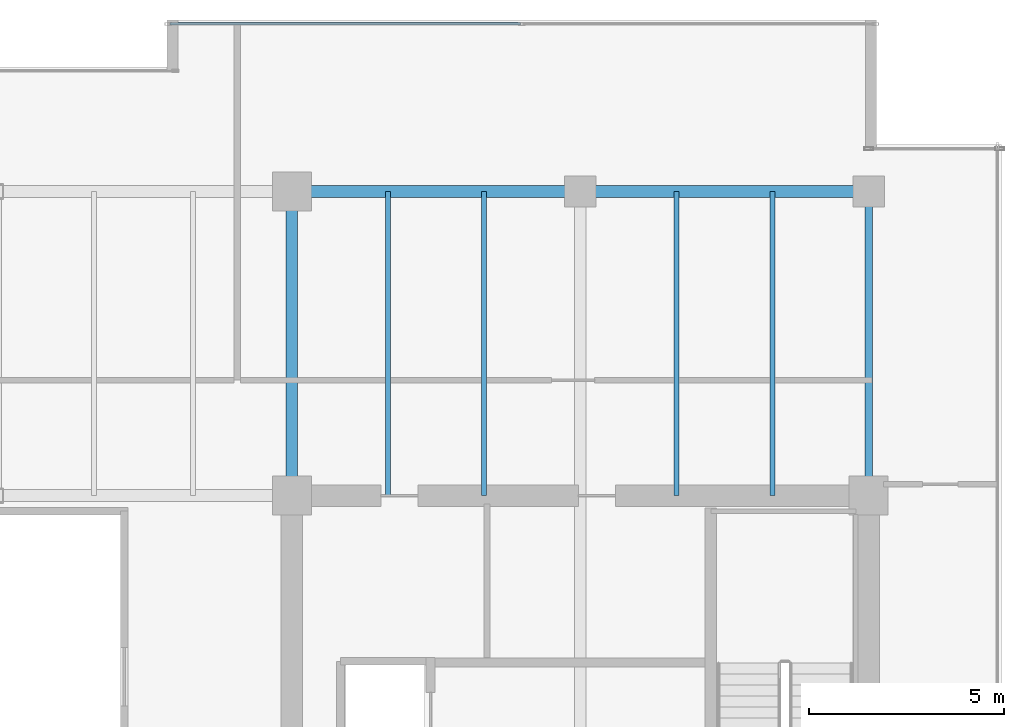
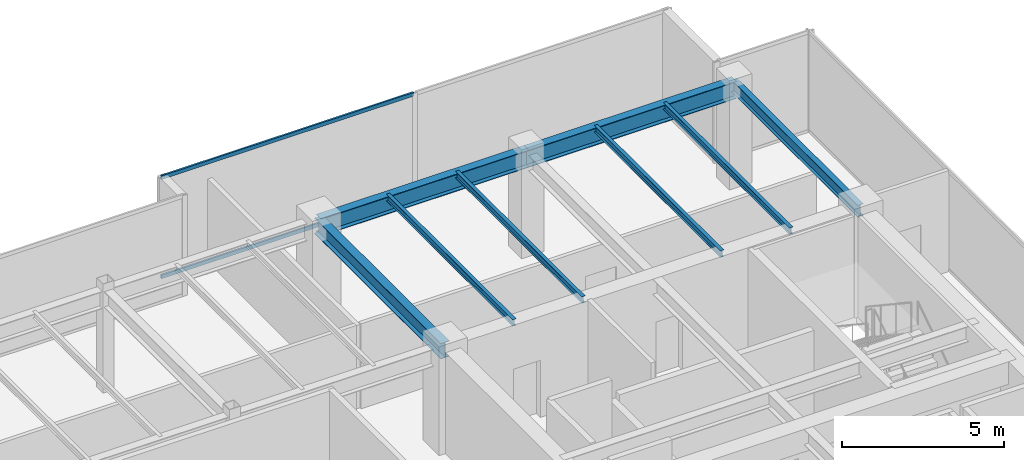
# One storey, part 20 of 33: 8 beams, 2 members, 1 element without a shape of its own.
"""IFC4 building model written with IfcOpenShell, lengths in metres."""

from ifc_helpers import new_model, si_unit, direction, frame, origin, origin_2d, place, context, subcontext, project, spatial, hollow_rectangle, i_section, extrude, source, transform, mapped, material, layer, layer_set, material_profile, profile_set, type_object, type_shapes, element, aggregate, save


model = new_model("IFC4")

# Units and contexts
model_context = context("Model", 3, precision=1e-05, world=origin(), true_north=direction((0.0, 1.0)))
body_context = subcontext(model_context, "Body", "Model", "MODEL_VIEW")
ifc_project = project(units=[si_unit("LENGTHUNIT", "METRE"), si_unit("AREAUNIT", "SQUARE_METRE"), si_unit("VOLUMEUNIT", "CUBIC_METRE"), si_unit("PLANEANGLEUNIT", "RADIAN"), si_unit("MASSUNIT", "GRAM", prefix="KILO")], contexts=[model_context])

# Site, building, storey
site_placement = place(None, origin())
site = spatial("IfcSite", under=ifc_project, at=site_placement, CompositionType="ELEMENT")
building_placement = place(site_placement, origin())
building = spatial("IfcBuilding", under=site, at=building_placement, Name="Haelvirn Gate Laboratories", CompositionType="ELEMENT")
storey_placement = place(building_placement, frame((0.0, 0.0, 267.0)))
storey = spatial("IfcBuildingStorey", under=building, at=storey_placement, Name="L64", CompositionType="ELEMENT", Elevation=267.0)

# Beams
ifc_material_1 = material(Name="Steel SM355", Category="steel")
ifc_material_profile_1 = material_profile(ifc_material_1, i_section(OverallWidth=0.300048828125, OverallDepth=0.587890625, WebThickness=0.011962890625, FlangeThickness=0.02001953125, at=origin_2d()), Name="H-588x300x12x20")
ifc_profile_set_1 = profile_set([ifc_material_profile_1], Name="Steel SM355")
beam_type_1 = type_object("IfcBeamType", Name="BM-G-588", PredefinedType="BEAM", material=ifc_profile_set_1)
shared_shape_1 = source(origin(), body_context, "Body", "SweptSolid", [
    extrude(i_section(OverallWidth=0.300048828125, OverallDepth=0.587890625, WebThickness=0.011962890625, FlangeThickness=0.02001953125, at=origin_2d()), origin(), (0.0, 0.0, 1.0), 7.800048828125),
])
type_shapes(beam_type_1, [shared_shape_1])
beam_1_placement = place(storey_placement, frame((52.60009765625, 33.800048828125, 3.506103515625), z_axis=(0.0, 1.0, 0.0), x_axis=(-1.0, 0.0, 0.0)))
element("IfcBeam", 1, at=beam_1_placement, inside=storey, type_object=beam_type_1, Name="L64 Frame Girder X52.6 (33.8-41.6)", PredefinedType="BEAM", context=body_context, shape_type="MappedRepresentation", body=[
    mapped(shared_shape_1, transform((0.0, 0.0, 0.0), scale=1.0)),
])
ifc_material_profile_2 = material_profile(ifc_material_1, i_section(OverallWidth=0.300048828125, OverallDepth=0.64990234375, WebThickness=0.012939453125, FlangeThickness=0.02197265625, at=origin_2d()), Name="H-650x300x13x22")
ifc_profile_set_2 = profile_set([ifc_material_profile_2], Name="Steel SM355")
beam_type_2 = type_object("IfcBeamType", Name="BM-G-650", PredefinedType="BEAM", material=ifc_profile_set_2)
shared_shape_2 = source(origin(), body_context, "Body", "SweptSolid", [
    extrude(i_section(OverallWidth=0.300048828125, OverallDepth=0.64990234375, WebThickness=0.012939453125, FlangeThickness=0.02197265625, at=origin_2d()), origin(), (0.0, 0.0, 1.0), 7.39990234375),
])
type_shapes(beam_type_2, [shared_shape_2])
for number, where, z_axis, x_axis, name in (
    (2, (52.60009765625, 41.60009765625, 3.47509765625), (1.0, 0.0, 0.0), (0.0, 1.0, 0.0), "L64 Primary Girder Y41.6 (52.6-60.0)"),
    (3, (60.0, 41.60009765625, 3.47509765625), (1.0, 0.0, 0.0), (0.0, 1.0, 0.0), "L64 Primary Girder Y41.6 (60.0-67.4)"),
):
    element("IfcBeam", number, at=place(storey_placement, frame(where, z_axis=z_axis, x_axis=x_axis)), inside=storey, type_object=beam_type_2, Name=name, PredefinedType="BEAM", context=body_context, shape_type="MappedRepresentation", body=[
        mapped(shared_shape_2, transform((0.0, 0.0, 0.0), scale=1.0)),
    ])
ifc_material_profile_3 = material_profile(ifc_material_1, i_section(OverallWidth=0.199951171875, OverallDepth=0.449951171875, WebThickness=0.009033203125, FlangeThickness=0.013916015625, at=origin_2d()), Name="H-450x200x9x14")
ifc_profile_set_3 = profile_set([ifc_material_profile_3], Name="Steel SM355")
beam_type_3 = type_object("IfcBeamType", Name="BM-SP-450", PredefinedType="SPANDREL", material=ifc_profile_set_3)
shared_shape_3 = source(origin(), body_context, "Body", "SweptSolid", [
    extrude(i_section(OverallWidth=0.199951171875, OverallDepth=0.449951171875, WebThickness=0.009033203125, FlangeThickness=0.013916015625, at=origin_2d()), origin(), (0.0, 0.0, 1.0), 7.800048828125),
])
type_shapes(beam_type_3, [shared_shape_3])
beam_2_placement = place(storey_placement, frame((67.39990234375, 33.800048828125, 3.574951171875), z_axis=(0.0, 1.0, 0.0), x_axis=(-1.0, 0.0, 0.0)))
element("IfcBeam", 4, at=beam_2_placement, inside=storey, type_object=beam_type_3, Name="L64 Perimeter Spandrel X67.4 (33.8-41.6)", PredefinedType="SPANDREL", context=body_context, shape_type="MappedRepresentation", body=[
    mapped(shared_shape_3, transform((0.0, 0.0, 0.0), scale=1.0)),
])
ifc_material_profile_4 = material_profile(ifc_material_1, i_section(OverallWidth=0.125, OverallDepth=0.25, WebThickness=0.006103515625, FlangeThickness=0.009033203125, at=origin_2d()), Name="H-250x125x6x9")
ifc_profile_set_4 = profile_set([ifc_material_profile_4], Name="Steel SM355")
beam_type_4 = type_object("IfcBeamType", Name="BM-J-250", PredefinedType="JOIST", material=ifc_profile_set_4)
shared_shape_4 = source(origin(), body_context, "Body", "SweptSolid", [
    extrude(i_section(OverallWidth=0.125, OverallDepth=0.25, WebThickness=0.006103515625, FlangeThickness=0.009033203125, at=origin_2d()), origin(), (0.0, 0.0, 1.0), 7.800048828125),
])
type_shapes(beam_type_4, [shared_shape_4])
for number, where, z_axis, x_axis, name in (
    (5, (55.070068359375, 33.800048828125, 3.675048828125), (0.0, 1.0, 0.0), (-1.0, 0.0, 0.0), "L64 Composite Lab Joist North X55.07"),
    (6, (57.530029296875, 33.800048828125, 3.675048828125), (0.0, 1.0, 0.0), (-1.0, 0.0, 0.0), "L64 Composite Lab Joist North X57.53"),
    (7, (62.469970703125, 33.800048828125, 3.675048828125), (0.0, 1.0, 0.0), (-1.0, 0.0, 0.0), "L64 Composite Lab Joist North X62.47"),
    (8, (64.929931640625, 33.800048828125, 3.675048828125), (0.0, 1.0, 0.0), (-1.0, 0.0, 0.0), "L64 Composite Lab Joist North X64.93"),
):
    element("IfcBeam", number, at=place(storey_placement, frame(where, z_axis=z_axis, x_axis=x_axis)), inside=storey, type_object=beam_type_4, Name=name, PredefinedType="JOIST", context=body_context, shape_type="MappedRepresentation", body=[
        mapped(shared_shape_4, transform((0.0, 0.0, 0.0), scale=1.0)),
    ])

# Curtain wall, members
ifc_material_2 = material(Name="Anodised bronze unitised aluminium & triple low-E glass", Category="aluminium")
ifc_layer = layer(ifc_material_2, 0.176025390625, Name="CW-SYS-4")
ifc_layer_set = layer_set([ifc_layer], Name="Anodised bronze unitised aluminium & triple low-E glass")
curtain_wall_type = type_object("IfcCurtainWallType", Name="CW-SYS-4", PredefinedType="NOTDEFINED", material=ifc_layer_set)
curtain_wall_placement = place(storey_placement, origin())
curtain_wall = element("IfcCurtainWall", 9, at=curtain_wall_placement, inside=storey, type_object=curtain_wall_type, Name="L64 Unitised Curtain Wall CW-L64-P0-E10-1", PredefinedType="NOTDEFINED")
ifc_material_3 = material(Name="Extruded aluminium 6063-T6 (anodised bronze)", Category="aluminium")
ifc_material_profile_5 = material_profile(ifc_material_3, hollow_rectangle(XDim=0.06494140625, YDim=0.139892578125, WallThickness=0.00390625, at=origin_2d()), Name="CWT-140x65x4")
ifc_profile_set_5 = profile_set([ifc_material_profile_5], Name="Extruded aluminium 6063-T6 (anodised bronze)")
member_type = type_object("IfcMemberType", Name="CWT-T140", PredefinedType="USERDEFINED", material=ifc_profile_set_5)
shared_shape_5 = source(origin(), body_context, "Body", "SweptSolid", [
    extrude(hollow_rectangle(XDim=0.06494140625, YDim=0.139892578125, WallThickness=0.00390625, at=origin_2d()), origin(), (0.0, 0.0, 1.0), 8.9951171875),
])
type_shapes(member_type, [shared_shape_5])
member_1_placement = place(storey_placement, frame((49.469970703125, 45.89990234375, 0.032470703125), z_axis=(1.0, 0.0, 0.0), x_axis=(0.0, 1.0, 0.0)))
member_1 = element("IfcMember", 10, at=member_1_placement, type_object=member_type, Name="CW4 transom 1.1", ObjectType="TRANSOM", PredefinedType="USERDEFINED", context=body_context, shape_type="MappedRepresentation", body=[
    mapped(shared_shape_5, transform((0.0, 0.0, 0.0), scale=1.0)),
])
member_2_placement = place(storey_placement, frame((49.469970703125, 45.89990234375, 3.767578125), z_axis=(1.0, 0.0, 0.0), x_axis=(0.0, 1.0, 0.0)))
member_2 = element("IfcMember", 11, at=member_2_placement, type_object=member_type, Name="CW4 transom 1.2", ObjectType="TRANSOM", PredefinedType="USERDEFINED", context=body_context, shape_type="MappedRepresentation", body=[
    mapped(shared_shape_5, transform((0.0, 0.0, 0.0), scale=1.0)),
])
aggregate(curtain_wall, [member_1, member_2])

save(model, "model.ifc")
